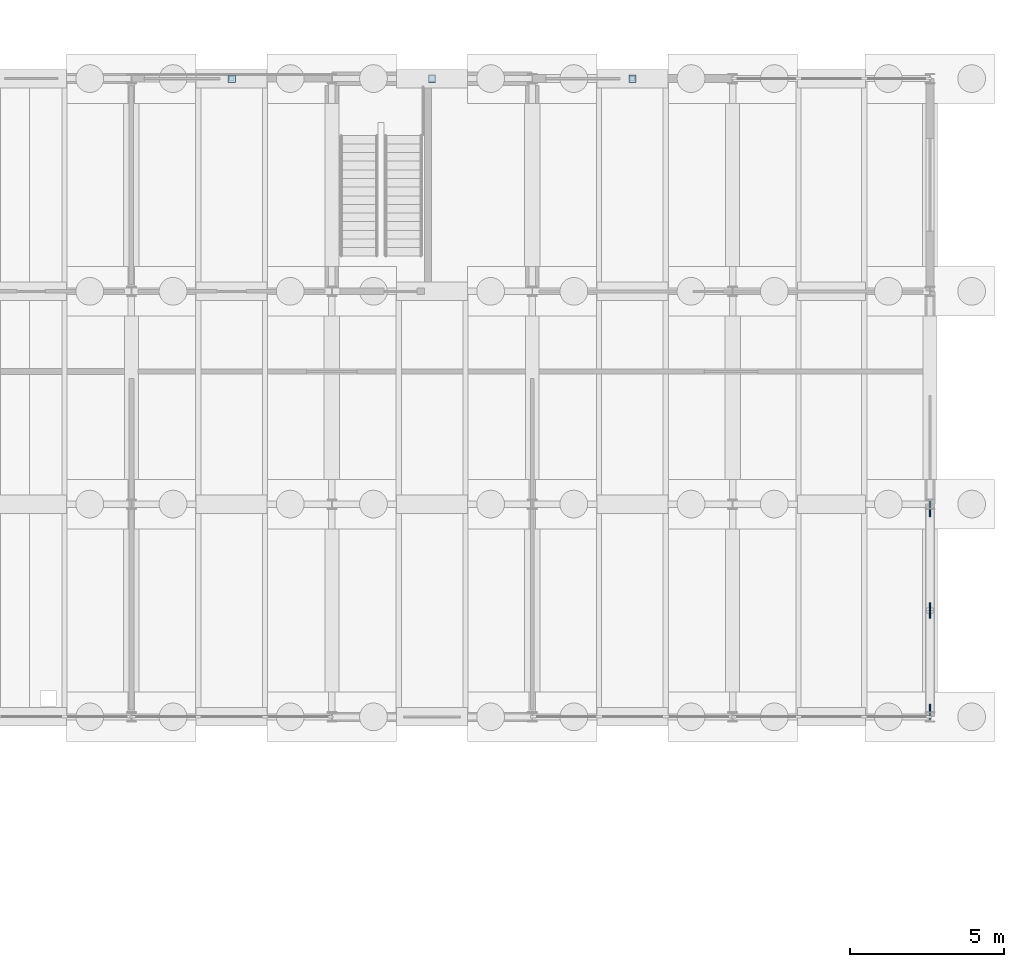
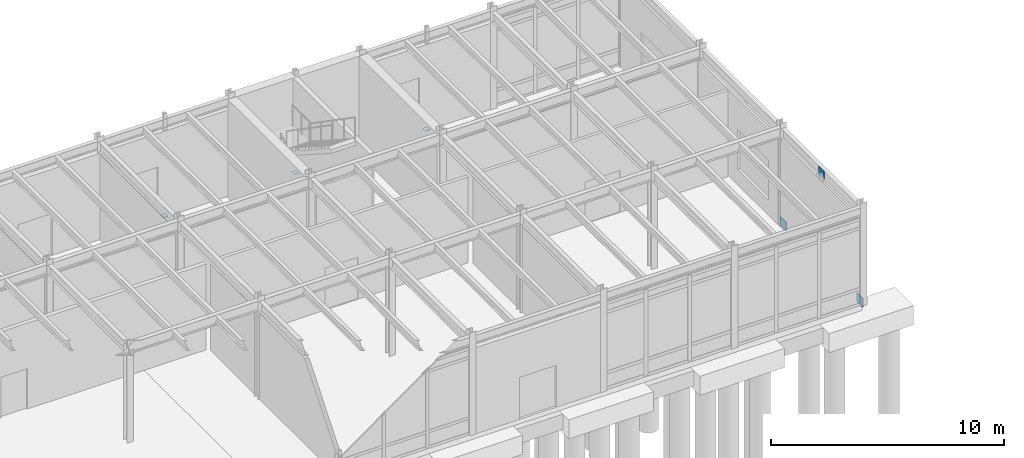
# One storey, part 65 of 82: 6 plates.
"""IFC4 building model written with IfcOpenShell, lengths in metres."""

from ifc_helpers import new_model, si_unit, direction, frame, origin, origin_2d, place, context, subcontext, project, spatial, rectangle, extrude, material, layer, layer_set, type_object, element, save


model = new_model("IFC4")

# Units and contexts
model_context = context("Model", 3, precision=1e-05, world=origin(), true_north=direction((0.0, 1.0)))
body_context = subcontext(model_context, "Body", "Model", "MODEL_VIEW")
ifc_project = project(units=[si_unit("LENGTHUNIT", "METRE"), si_unit("AREAUNIT", "SQUARE_METRE"), si_unit("VOLUMEUNIT", "CUBIC_METRE"), si_unit("PLANEANGLEUNIT", "RADIAN"), si_unit("MASSUNIT", "GRAM", prefix="KILO")], contexts=[model_context])

# Site, building, storey
site_placement = place(None, origin())
site = spatial("IfcSite", under=ifc_project, at=site_placement, CompositionType="ELEMENT")
building_placement = place(site_placement, origin())
building = spatial("IfcBuilding", under=site, at=building_placement, Name="Trelmorton Wharf Fire Station", CompositionType="ELEMENT")
storey_placement = place(building_placement, origin())
storey = spatial("IfcBuildingStorey", under=building, at=storey_placement, Name="L00", CompositionType="ELEMENT", Elevation=0.0)

# Plates
ifc_material = material(Name="Steel Grade 350", Category="steel")
ifc_layer_1 = layer(ifc_material, 0.011962890625)
ifc_layer_set_1 = layer_set([ifc_layer_1], Name="Steel Grade 350")
plate_type_1 = type_object("IfcPlateType", Name="PL_ENDCAP_12", PredefinedType="SHEET", material=ifc_layer_set_1)
for number, where, z_axis, x_axis, name in (
    (1, (139.75, 81.0, -0.01806640625), (0.0, 0.0, 1.0), (1.0, 0.0, 0.0), "PL-PILCAP-B-025"),
    (2, (146.25, 81.0, -0.01806640625), (0.0, 0.0, 1.0), (1.0, 0.0, 0.0), "PL-PILCAP-B-033"),
    (3, (152.75, 81.0, -0.01806640625), (0.0, 0.0, 1.0), (1.0, 0.0, 0.0), "PL-PILCAP-B-036"),
):
    element("IfcPlate", number, at=place(storey_placement, frame(where, z_axis=z_axis, x_axis=x_axis)), inside=storey, type_object=plate_type_1, Name=name, PredefinedType="SHEET", context=body_context, shape_type="SweptSolid", body=[
        extrude(rectangle(XDim=0.239990234375, YDim=0.239990234375, at=origin_2d()), origin(), (0.0, 0.0, 1.0), 0.02001953125),
    ])
ifc_layer_2 = layer(ifc_material, 0.050048828125)
ifc_layer_set_2 = layer_set([ifc_layer_2], Name="Steel Grade 350")
plate_type_2 = type_object("IfcPlateType", Name="PL_GUSSET_TN2", PredefinedType="USERDEFINED", material=ifc_layer_set_2)
for number, where, z_axis, x_axis, name in (
    (4, (162.39990234375, 60.46044921875, -0.10498046875), (0.0, 0.0, 1.0), (1.0, 0.0, 0.0), "PL-CBF-0451"),
    (5, (162.39990234375, 67.03955078125, -0.10498046875), (0.0, 0.0, 1.0), (1.0, 0.0, 0.0), "PL-CBF-0452"),
    (6, (162.39990234375, 63.75, 4.55517578125), (0.0, 0.0, 1.0), (1.0, 0.0, 0.0), "PL-CBF-0453"),
):
    element("IfcPlate", number, at=place(storey_placement, frame(where, z_axis=z_axis, x_axis=x_axis)), inside=storey, type_object=plate_type_2, Name=name, ObjectType="GUSSET PLATE", PredefinedType="USERDEFINED", context=body_context, shape_type="SweptSolid", body=[
        extrude(rectangle(XDim=0.050048828125, YDim=0.5, at=origin_2d()), origin(), (0.0, 0.0, 1.0), 0.449951171875),
    ])

save(model, "model.ifc")
